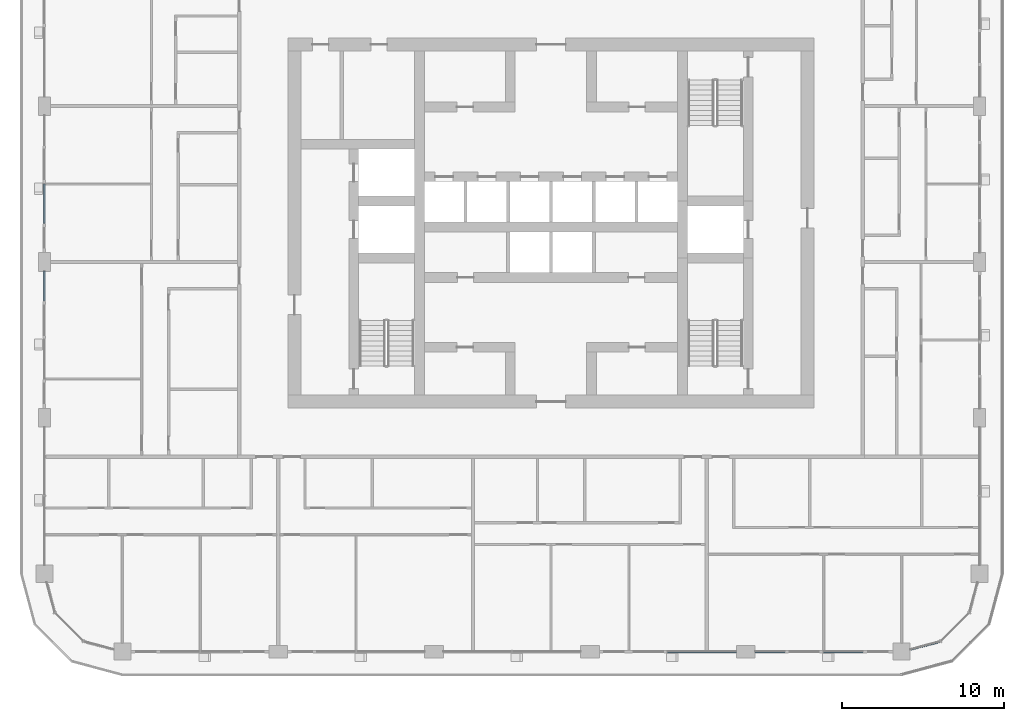
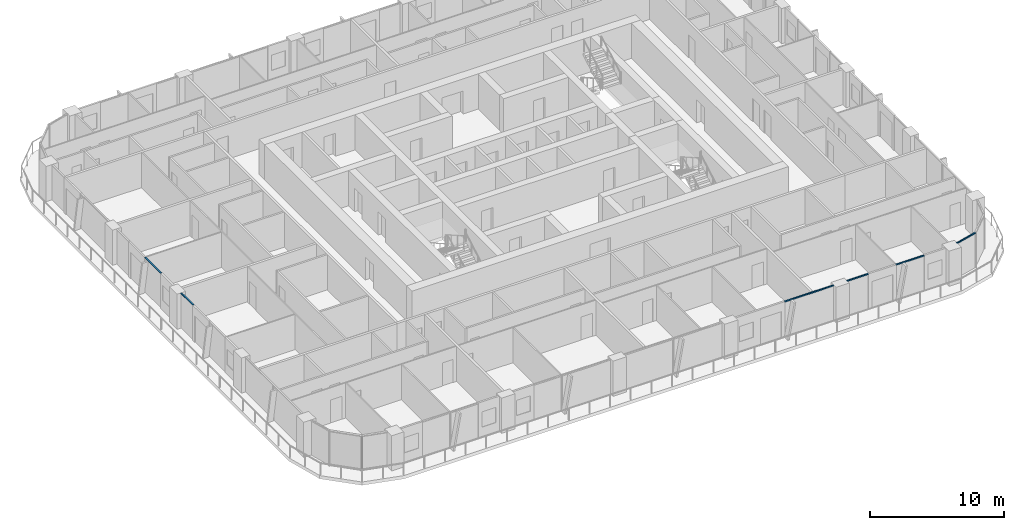
# One storey, part 3 of 22: 6 members, 5 elements without a shape of their own.
"""IFC4 building model written with IfcOpenShell, lengths in metres."""

import ifcopenshell
import ifcopenshell.guid

model = None  # the IFC model being written
_history = None  # IfcOwnerHistory: only IFC2X3 demands one
_inside = {}  # id of a spatial element -> (the spatial element, [elements in it])
_under = {}  # id of a project, library or spatial element -> (it, [spatial elements below it])
_declared = {}  # id of a project -> (the project, [libraries it declares])
_typed = {}  # id of a type object -> (the type object, [elements of that type])
_made_of = {}  # id of a material, layer set ... -> (it, [elements and type objects made of it])


def new_model(schema):
    """Start an empty IFC model of exactly this schema.

    Asked for "IFC4X3", IfcOpenShell would pick the latest addendum, in which some entities
    have other attributes; the version numbers below select the first issue.
    IFC2X3 requires an IfcOwnerHistory on every rooted entity: one is made here for all.
    """
    global model, _history
    if schema == "IFC4X3":
        model = ifcopenshell.file(schema_version=(4, 3, 0, 0))
    else:
        model = ifcopenshell.file(schema=schema)
    _inside.clear()
    _under.clear()
    _declared.clear()
    _typed.clear()
    _made_of.clear()
    _history = None
    if model.schema == "IFC2X3":
        org = make("IfcOrganization", Name="unknown")
        user = make(
            "IfcPersonAndOrganization",
            ThePerson=make("IfcPerson", FamilyName="unknown"),
            TheOrganization=org,
        )
        app = make(
            "IfcApplication",
            ApplicationDeveloper=org,
            Version="unknown",
            ApplicationFullName="unknown",
            ApplicationIdentifier="unknown",
        )
        _history = make(
            "IfcOwnerHistory",
            OwningUser=user,
            OwningApplication=app,
            ChangeAction="ADDED",
            CreationDate=0,
        )
    return model


def make(cls, **values):
    """One entity of the class cls with the attributes given. An attribute that is None is left unset."""
    return model.create_entity(
        cls, **{name: value for name, value in values.items() if value is not None}
    )


def rooted(cls, **values):
    """An entity with a GlobalId (a new one), such as an element, a storey or a relation."""
    return make(cls, GlobalId=ifcopenshell.guid.new(), OwnerHistory=_history, **values)


def si_unit(unit_type, name, prefix=None):
    """IfcSIUnit, for example si_unit("LENGTHUNIT", "METRE", prefix="MILLI")."""
    return make("IfcSIUnit", UnitType=unit_type, Prefix=prefix, Name=name)


def assignment(units):
    """IfcUnitAssignment: the units of a project."""
    return None if units is None else make("IfcUnitAssignment", Units=units)


def point(xyz):
    """IfcCartesianPoint."""
    return None if xyz is None else make("IfcCartesianPoint", Coordinates=xyz)


def direction(xyz):
    """IfcDirection."""
    return None if xyz is None else make("IfcDirection", DirectionRatios=xyz)


def frame(location, z_axis=None, x_axis=None):
    """IfcAxis2Placement3D, a coordinate frame: its origin and axes. An axis left out is left unset."""
    return make(
        "IfcAxis2Placement3D",
        Location=point(location),
        Axis=direction(z_axis),
        RefDirection=direction(x_axis),
    )


def frame_2d(location, x_axis=None):
    """IfcAxis2Placement2D, a coordinate frame in the plane: its origin and x axis."""
    return make(
        "IfcAxis2Placement2D", Location=point(location), RefDirection=direction(x_axis)
    )


def origin():
    """The frame at (0, 0, 0) with its axes left unset."""
    return frame((0.0, 0.0, 0.0))


def origin_2d():
    """The frame at (0, 0) in the plane with its x axis left unset."""
    return frame_2d((0.0, 0.0))


def place(relative_to, where):
    """IfcLocalPlacement: puts the frame where relative to a parent placement (None: the world)."""
    return make(
        "IfcLocalPlacement", PlacementRelTo=relative_to, RelativePlacement=where
    )


def context(
    kind, dimensions, precision=None, world=None, true_north=None, identifier=None
):
    """IfcGeometricRepresentationContext, for example the 3D "Model" context."""
    return make(
        "IfcGeometricRepresentationContext",
        ContextIdentifier=identifier,
        ContextType=kind,
        CoordinateSpaceDimension=dimensions,
        Precision=precision,
        WorldCoordinateSystem=world,
        TrueNorth=true_north,
    )


def subcontext(parent, identifier, kind, view, scale=None):
    """IfcGeometricRepresentationSubContext, for example "Body" below "Model"."""
    return make(
        "IfcGeometricRepresentationSubContext",
        ContextIdentifier=identifier,
        ContextType=kind,
        ParentContext=parent,
        TargetScale=scale,
        TargetView=view,
    )


def project(units=None, contexts=None):
    """IfcProject with its units and contexts."""
    return rooted(
        "IfcProject",
        Name="project",
        RepresentationContexts=contexts,
        UnitsInContext=assignment(units),
    )


def spatial(cls, under=None, at=None, **own):
    """A site, building, storey or space (cls), placed at a placement, below another one or the project."""
    s = rooted(cls, ObjectPlacement=at, **own)
    if under is not None:
        _under.setdefault(under.id(), (under, []))[1].append(s)
    return s


def profile(cls, at=None, kind="AREA", **sizes):
    """A parametric profile (cls). Its sizes go by their IFC names, for example OverallWidth=200.0."""
    return make(cls, ProfileType=kind, Position=at, **sizes)


def rectangle(**sizes):
    """IfcRectangleProfileDef."""
    return profile("IfcRectangleProfileDef", **sizes)


def extrude(swept, where, along, depth):
    """IfcExtrudedAreaSolid: the profile swept, set in the frame where, extruded along a direction by depth."""
    return make(
        "IfcExtrudedAreaSolid",
        SweptArea=swept,
        Position=where,
        ExtrudedDirection=direction(along),
        Depth=depth,
    )


def shape(context_of_items, identifier, shape_type, items):
    """IfcShapeRepresentation: the items that make up one representation, for example the "Body"."""
    return make(
        "IfcShapeRepresentation",
        ContextOfItems=context_of_items,
        RepresentationIdentifier=identifier,
        RepresentationType=shape_type,
        Items=items,
    )


def material(Name=None, Category=None):
    """IfcMaterial."""
    return make("IfcMaterial", Name=Name, Category=Category)


def layer(
    of_material, thickness, ventilated=None, Name=None, Category=None, Priority=None
):
    """IfcMaterialLayer: one layer of a wall or slab, of a material (None: an air gap)."""
    return make(
        "IfcMaterialLayer",
        Material=of_material,
        LayerThickness=thickness,
        IsVentilated=ventilated,
        Name=Name,
        Category=Category,
        Priority=Priority,
    )


def layer_set(layers, Name=None):
    """IfcMaterialLayerSet."""
    return make("IfcMaterialLayerSet", MaterialLayers=layers, LayerSetName=Name)


def material_profile(
    of_material, cross_section, Name=None, Category=None, Priority=None
):
    """IfcMaterialProfile: a cross section and its material."""
    return make(
        "IfcMaterialProfile",
        Name=Name,
        Material=of_material,
        Profile=cross_section,
        Priority=Priority,
        Category=Category,
    )


def profile_set(profiles, Name=None, composite=None):
    """IfcMaterialProfileSet."""
    return make(
        "IfcMaterialProfileSet",
        Name=Name,
        MaterialProfiles=profiles,
        CompositeProfile=composite,
    )


def made_of(thing, what):
    """Note that an element or type object is made of a material, layer set ...; save() writes the relation."""
    if what is not None:
        _made_of.setdefault(what.id(), (what, []))[1].append(thing)
    return thing


def type_object(cls, material=None, **own):
    """A type object (cls), such as IfcWallType, which elements share."""
    return made_of(rooted(cls, **own), material)


def element(
    cls,
    number,
    at=None,
    inside=None,
    cuts=None,
    type_object=None,
    material=None,
    context=None,
    identifier="Body",
    shape_type=None,
    held_by="IfcProductDefinitionShape",
    body=None,
    shapes=None,
    **own,
):
    """One element of the class cls, such as IfcWall. Its Tag is "e" and its number.

    at: its placement. inside: the storey or other place that contains it. cuts: it is an
    opening in that element (IfcRelVoidsElement). A single representation is given by context,
    identifier, shape_type and body (its items); several are given by shapes. held_by: the class
    of the entity that holds the representations. save() writes the other relations.
    """
    e = rooted(cls, Tag="e%d" % number, ObjectPlacement=at, **own)
    if body is not None:
        shapes = [shape(context, identifier, shape_type, body)]
    if shapes is not None:
        e.Representation = make(held_by, Representations=shapes)
    if inside is not None:
        _inside.setdefault(inside.id(), (inside, []))[1].append(e)
    if cuts is not None:
        rooted(
            "IfcRelVoidsElement", RelatingBuildingElement=cuts, RelatedOpeningElement=e
        )
    if type_object is not None:
        _typed.setdefault(type_object.id(), (type_object, []))[1].append(e)
    return made_of(e, material)


def aggregate(whole, parts):
    """IfcRelAggregates: a whole, such as a stair, and the parts it consists of."""
    return rooted("IfcRelAggregates", RelatingObject=whole, RelatedObjects=parts)


def save(model, path):
    """Write the relations noted so far, then the file.

    IfcRelAggregates (storeys below a building ...), IfcRelContainedInSpatialStructure (elements
    in a storey), IfcRelDefinesByType, IfcRelAssociatesMaterial and IfcRelDeclares: one each for
    every whole, place, type object, material and project.
    """
    for whole, parts in _under.values():
        aggregate(whole, parts)
    for where, things in _inside.values():
        rooted(
            "IfcRelContainedInSpatialStructure",
            RelatedElements=things,
            RelatingStructure=where,
        )
    for kind, things in _typed.values():
        rooted("IfcRelDefinesByType", RelatedObjects=things, RelatingType=kind)
    for what, things in _made_of.values():
        rooted("IfcRelAssociatesMaterial", RelatedObjects=things, RelatingMaterial=what)
    for by, libraries in _declared.values():
        rooted("IfcRelDeclares", RelatingContext=by, RelatedDefinitions=libraries)
    model.write(path)


model = new_model("IFC4")

# Units and contexts
model_context = context("Model", 3, precision=1e-05, world=origin(), true_north=direction((0.0, 1.0)))
body_context = subcontext(model_context, "Body", "Model", "MODEL_VIEW")
ifc_project = project(units=[si_unit("LENGTHUNIT", "METRE"), si_unit("AREAUNIT", "SQUARE_METRE"), si_unit("VOLUMEUNIT", "CUBIC_METRE"), si_unit("PLANEANGLEUNIT", "RADIAN"), si_unit("MASSUNIT", "GRAM", prefix="KILO")], contexts=[model_context])

# Site, building, storey
site_placement = place(None, origin())
site = spatial("IfcSite", under=ifc_project, at=site_placement, CompositionType="ELEMENT")
building_placement = place(site_placement, origin())
building = spatial("IfcBuilding", under=site, at=building_placement, Name="Madar Terraces", CompositionType="ELEMENT")
storey_placement = place(building_placement, frame((0.0, 0.0, 152.5)))
storey = spatial("IfcBuildingStorey", under=building, at=storey_placement, Name="L39", CompositionType="ELEMENT", Elevation=152.5)

# Curtain wall, member
ifc_material_1 = material(Name="Glass, ceramic frit dark grey, with black aluminium frame", Category="aluminium")
ifc_layer = layer(ifc_material_1, 0.199951171875)
ifc_layer_set = layer_set([ifc_layer], Name="Facade curtain wall, fritted glass")
curtain_wall_type = type_object("IfcCurtainWallType", Name="Facade curtain wall, fritted glass", PredefinedType="NOTDEFINED", material=ifc_layer_set)
curtain_wall_1_placement = place(storey_placement, origin())
curtain_wall_1 = element("IfcCurtainWall", 1, at=curtain_wall_1_placement, inside=storey, type_object=curtain_wall_type, Name="Outer skin curtain wall south bay 4", PredefinedType="NOTDEFINED")
ifc_material_2 = material(Name="Aluminium, black anodised", Category="aluminium")
ifc_material_profile = material_profile(ifc_material_2, rectangle(XDim=0.1201171875, YDim=0.06005859375, at=origin_2d()), Name="Facade transom 60x120")
ifc_profile_set = profile_set([ifc_material_profile], Name="Aluminium, black anodised")
member_type = type_object("IfcMemberType", Name="Facade transom 60x120", PredefinedType="USERDEFINED", material=ifc_profile_set)
member_1_placement = place(storey_placement, frame((38.39990234375, 0.0, 3.169921875), z_axis=(1.0, 0.0, 0.0), x_axis=(0.0, 1.0, 0.0)))
member_1 = element("IfcMember", 2, at=member_1_placement, type_object=member_type, Name="Transom 1", ObjectType="TRANSOM", PredefinedType="USERDEFINED", context=body_context, shape_type="SweptSolid", body=[
    extrude(rectangle(XDim=0.1201171875, YDim=0.06005859375, at=origin_2d()), origin(), (0.0, 0.0, 1.0), 4.22509765625),
])
aggregate(curtain_wall_1, [member_1])

# Curtain wall, members
curtain_wall_2_placement = place(storey_placement, origin())
curtain_wall_2 = element("IfcCurtainWall", 3, at=curtain_wall_2_placement, inside=storey, type_object=curtain_wall_type, Name="Outer skin curtain wall south bay 5", PredefinedType="NOTDEFINED")
member_2_placement = place(storey_placement, frame((43.77490234375, 0.0, 3.169921875), z_axis=(1.0, 0.0, 0.0), x_axis=(0.0, 1.0, 0.0)))
member_2 = element("IfcMember", 4, at=member_2_placement, type_object=member_type, Name="Transom 1", ObjectType="TRANSOM", PredefinedType="USERDEFINED", context=body_context, shape_type="SweptSolid", body=[
    extrude(rectangle(XDim=0.1201171875, YDim=0.06005859375, at=origin_2d()), origin(), (0.0, 0.0, 1.0), 1.8251953125),
])
member_3_placement = place(storey_placement, frame((48.0, 0.0, 3.169921875), z_axis=(1.0, 0.0, 0.0), x_axis=(0.0, 1.0, 0.0)))
member_3 = element("IfcMember", 5, at=member_3_placement, type_object=member_type, Name="Transom 2", ObjectType="TRANSOM", PredefinedType="USERDEFINED", context=body_context, shape_type="SweptSolid", body=[
    extrude(rectangle(XDim=0.1201171875, YDim=0.06005859375, at=origin_2d()), origin(), (0.0, 0.0, 1.0), 2.39990234375),
])
aggregate(curtain_wall_2, [member_2, member_3])

# Curtain wall, member
curtain_wall_3_placement = place(storey_placement, origin())
curtain_wall_3 = element("IfcCurtainWall", 6, at=curtain_wall_3_placement, inside=storey, type_object=curtain_wall_type, Name="Outer skin curtain wall west bay 2", PredefinedType="NOTDEFINED")
member_4_placement = place(storey_placement, frame((0.0, 28.800048828125, 3.169921875), z_axis=(0.0, -1.0, 0.0), x_axis=(1.0, 0.0, 0.0)))
member_4 = element("IfcMember", 7, at=member_4_placement, type_object=member_type, Name="Transom 2", ObjectType="TRANSOM", PredefinedType="USERDEFINED", context=body_context, shape_type="SweptSolid", body=[
    extrude(rectangle(XDim=0.1201171875, YDim=0.06005859375, at=origin_2d()), origin(), (0.0, 0.0, 1.0), 2.400146484375),
])
aggregate(curtain_wall_3, [member_4])

curtain_wall_4_placement = place(storey_placement, origin())
curtain_wall_4 = element("IfcCurtainWall", 8, at=curtain_wall_4_placement, inside=storey, type_object=curtain_wall_type, Name="Outer skin curtain wall west bay 3", PredefinedType="NOTDEFINED")
member_5_placement = place(storey_placement, frame((0.0, 23.425048828125, 3.169921875), z_axis=(0.0, -1.0, 0.0), x_axis=(1.0, 0.0, 0.0)))
member_5 = element("IfcMember", 9, at=member_5_placement, type_object=member_type, Name="Transom 1", ObjectType="TRANSOM", PredefinedType="USERDEFINED", context=body_context, shape_type="SweptSolid", body=[
    extrude(rectangle(XDim=0.1201171875, YDim=0.06005859375, at=origin_2d()), origin(), (0.0, 0.0, 1.0), 1.824951171875),
])
aggregate(curtain_wall_4, [member_5])

curtain_wall_5_placement = place(storey_placement, origin())
curtain_wall_5 = element("IfcCurtainWall", 10, at=curtain_wall_5_placement, inside=storey, type_object=curtain_wall_type, Name="Outer skin curtain wall south-east corner", PredefinedType="NOTDEFINED")
member_6_placement = place(storey_placement, frame((53.324951171875, 0.140625, 3.169921875), z_axis=(0.965933227928, 0.25879142023, 0.0), x_axis=(-0.25879142023, 0.965933227928, 0.0)))
member_6 = element("IfcMember", 11, at=member_6_placement, type_object=member_type, Name="Transom 1", ObjectType="TRANSOM", PredefinedType="USERDEFINED", context=body_context, shape_type="SweptSolid", body=[
    extrude(rectangle(XDim=0.1201171875, YDim=0.06005859375, at=origin_2d()), origin(), (0.0, 0.0, 1.0), 1.911376953125),
])
aggregate(curtain_wall_5, [member_6])

save(model, "model.ifc")
